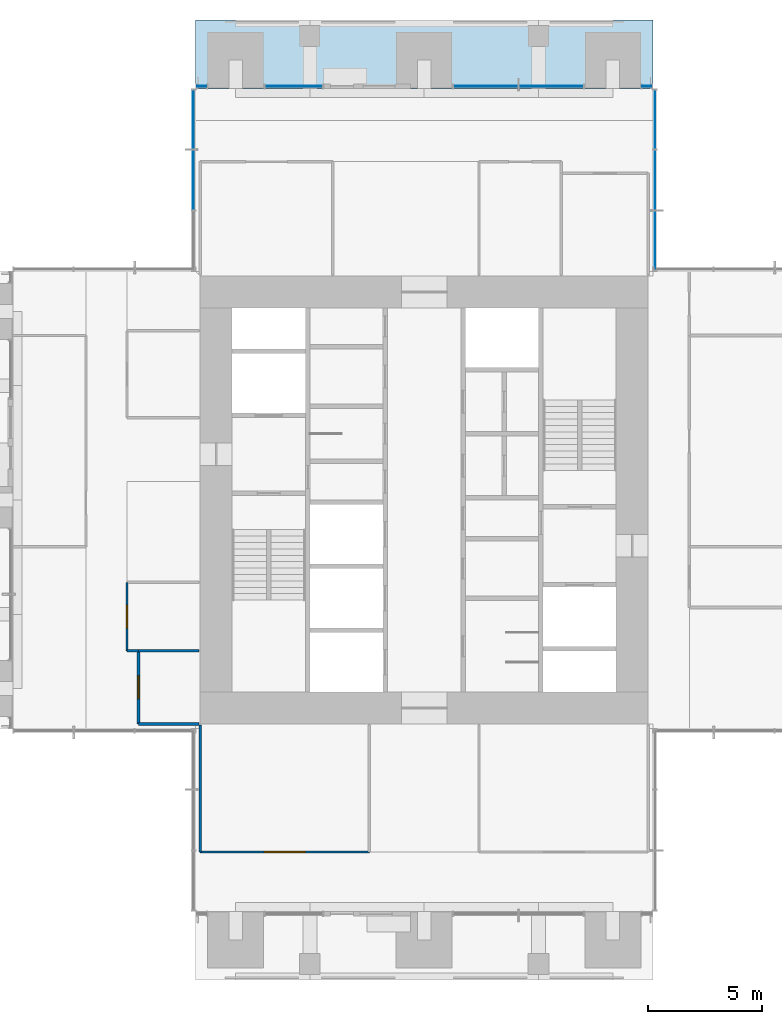
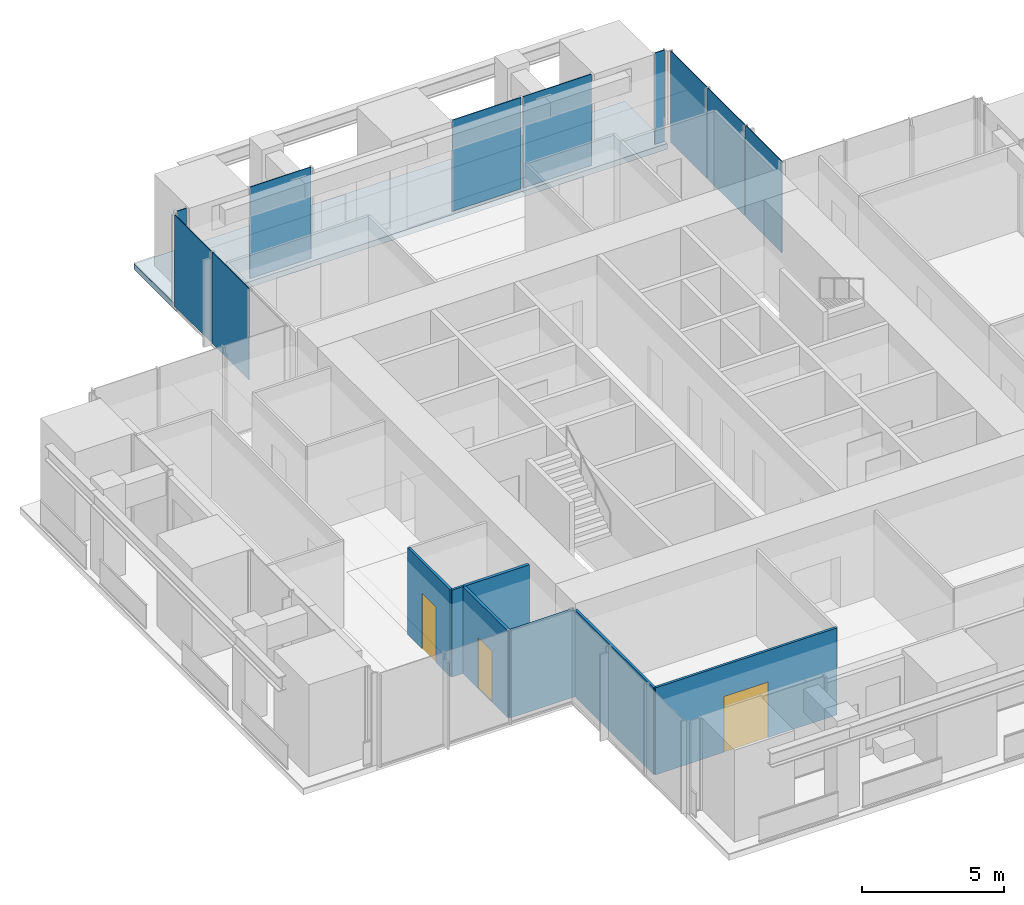
# One storey, part 11 of 17: 10 plates, 7 walls, 3 doors, 1 slab, 3 openings, 6 elements without a shape of their own.
"""IFC4 building model written with IfcOpenShell, lengths in metres."""

from ifc_helpers import new_model, si_unit, direction, frame, frame_2d, origin, origin_2d, place, context, subcontext, project, spatial, polyline, rectangle, outline, extrude, material, layer, layer_set, type_object, element, fill, aggregate, save


model = new_model("IFC4")

# Units and contexts
model_context = context("Model", 3, precision=1e-05, world=origin(), true_north=direction((0.0, 1.0)))
body_context = subcontext(model_context, "Body", "Model", "MODEL_VIEW")
ifc_project = project(units=[si_unit("LENGTHUNIT", "METRE"), si_unit("AREAUNIT", "SQUARE_METRE"), si_unit("VOLUMEUNIT", "CUBIC_METRE"), si_unit("PLANEANGLEUNIT", "RADIAN"), si_unit("MASSUNIT", "GRAM", prefix="KILO")], contexts=[model_context])

# Site, building, storey
site_placement = place(None, origin())
site = spatial("IfcSite", under=ifc_project, at=site_placement, CompositionType="ELEMENT")
building_placement = place(site_placement, origin())
building = spatial("IfcBuilding", under=site, at=building_placement, Name="Svetlomir Tower", CompositionType="ELEMENT")
storey_placement = place(building_placement, frame((0.0, 0.0, 214.5)))
storey = spatial("IfcBuildingStorey", under=building, at=storey_placement, Name="L51", CompositionType="ELEMENT", Elevation=214.5)

# Curtain wall, plates
ifc_material_1 = material(Name="Bronze anodised aluminium curtain wall", Category="aluminium")
curtain_wall_type = type_object("IfcCurtainWallType", Name="CURTAIN WALL CW1 TOWER OFFICE", PredefinedType="NOTDEFINED", material=ifc_material_1)
curtain_wall_1_placement = place(storey_placement, origin())
curtain_wall_1 = element("IfcCurtainWall", 1, at=curtain_wall_1_placement, inside=storey, type_object=curtain_wall_type, Name="Curtain wall CW1 L51", PredefinedType="NOTDEFINED")
ifc_material_2 = material(Name="Tinted double glazed unit", Category="glass")
ifc_layer_1 = layer(ifc_material_2, 0.031982421875)
ifc_layer_set_1 = layer_set([ifc_layer_1], Name="Tinted double glazed unit")
plate_type = type_object("IfcPlateType", Name="CW1 GLAZED PANEL 32", PredefinedType="CURTAIN_PANEL", material=ifc_layer_set_1)
plate_1_placement = place(storey_placement, frame((31.10009765625, 32.349609375, 0.06494140625), z_axis=(0.0, 0.0, 1.0), x_axis=(0.0, 1.0, 0.0)))
plate_1 = element("IfcPlate", 2, at=plate_1_placement, type_object=plate_type, Name="CW1 panel 1.1", PredefinedType="CURTAIN_PANEL", context=body_context, shape_type="SweptSolid", body=[
    extrude(rectangle(XDim=2.569091796875, YDim=0.031982421875, at=origin_2d()), origin(), (0.0, 0.0, 1.0), 3.93505859375),
])
plate_2_placement = place(storey_placement, frame((31.10009765625, 35.0, 0.06494140625), z_axis=(0.0, 0.0, 1.0), x_axis=(0.0, 1.0, 0.0)))
plate_2 = element("IfcPlate", 3, at=plate_2_placement, type_object=plate_type, Name="CW1 panel 2.1", PredefinedType="CURTAIN_PANEL", context=body_context, shape_type="SweptSolid", body=[
    extrude(rectangle(XDim=2.6015625, YDim=0.031982421875, at=origin_2d()), origin(), (0.0, 0.0, 1.0), 3.93505859375),
])
plate_3_placement = place(storey_placement, frame((31.10009765625, 37.650390625, 0.06494140625), z_axis=(0.0, 0.0, 1.0), x_axis=(0.0, 1.0, 0.0)))
plate_3 = element("IfcPlate", 4, at=plate_3_placement, type_object=plate_type, Name="CW1 panel 3.1", PredefinedType="CURTAIN_PANEL", context=body_context, shape_type="SweptSolid", body=[
    extrude(rectangle(XDim=2.569091796875, YDim=0.031982421875, at=origin_2d()), origin(), (0.0, 0.0, 1.0), 3.93505859375),
])
aggregate(curtain_wall_1, [plate_1, plate_2, plate_3])

# Curtain wall, plate
curtain_wall_2_placement = place(storey_placement, origin())
curtain_wall_2 = element("IfcCurtainWall", 5, at=curtain_wall_2_placement, inside=storey, type_object=curtain_wall_type, Name="Curtain wall CW1 L51", PredefinedType="NOTDEFINED")
plate_4_placement = place(storey_placement, frame((30.737548828125, 39.10009765625, 0.06494140625), z_axis=(0.0, 0.0, 1.0), x_axis=(-1.0, 0.0, 0.0)))
plate_4 = element("IfcPlate", 6, at=plate_4_placement, type_object=plate_type, Name="CW1 panel 1.1", PredefinedType="CURTAIN_PANEL", context=body_context, shape_type="SweptSolid", body=[
    extrude(rectangle(XDim=0.39501953125, YDim=0.031982421875, at=origin_2d()), origin(), (0.0, 0.0, 1.0), 3.93505859375),
])
aggregate(curtain_wall_2, [plate_4])

# Curtain wall, plates
curtain_wall_3_placement = place(storey_placement, origin())
curtain_wall_3 = element("IfcCurtainWall", 7, at=curtain_wall_3_placement, inside=storey, type_object=curtain_wall_type, Name="Curtain wall CW1 L51", PredefinedType="NOTDEFINED")
plate_5_placement = place(storey_placement, frame((26.558837890625, 39.10009765625, 0.06494140625), z_axis=(0.0, 0.0, 1.0), x_axis=(-1.0, 0.0, 0.0)))
plate_5 = element("IfcPlate", 8, at=plate_5_placement, type_object=plate_type, Name="CW1 panel 1.1", PredefinedType="CURTAIN_PANEL", context=body_context, shape_type="SweptSolid", body=[
    extrude(rectangle(XDim=2.802490234375, YDim=0.031982421875, at=origin_2d()), origin(), (0.0, 0.0, 1.0), 3.93505859375),
])
plate_6_placement = place(storey_placement, frame((23.691162109375, 39.10009765625, 0.06494140625), z_axis=(0.0, 0.0, 1.0), x_axis=(-1.0, 0.0, 0.0)))
plate_6 = element("IfcPlate", 9, at=plate_6_placement, type_object=plate_type, Name="CW1 panel 2.1", PredefinedType="CURTAIN_PANEL", context=body_context, shape_type="SweptSolid", body=[
    extrude(rectangle(XDim=2.802490234375, YDim=0.031982421875, at=origin_2d()), origin(), (0.0, 0.0, 1.0), 3.93505859375),
])
aggregate(curtain_wall_3, [plate_5, plate_6])

# Curtain wall, plate
curtain_wall_4_placement = place(storey_placement, origin())
curtain_wall_4 = element("IfcCurtainWall", 10, at=curtain_wall_4_placement, inside=storey, type_object=curtain_wall_type, Name="Curtain wall CW1 L51", PredefinedType="NOTDEFINED")
plate_7_placement = place(storey_placement, frame((15.28759765625, 39.10009765625, 0.06494140625), z_axis=(0.0, 0.0, 1.0), x_axis=(-1.0, 0.0, 0.0)))
plate_7 = element("IfcPlate", 11, at=plate_7_placement, type_object=plate_type, Name="CW1 panel 1.1", PredefinedType="CURTAIN_PANEL", context=body_context, shape_type="SweptSolid", body=[
    extrude(rectangle(XDim=2.4951171875, YDim=0.031982421875, at=origin_2d()), origin(), (0.0, 0.0, 1.0), 3.93505859375),
])
aggregate(curtain_wall_4, [plate_7])

curtain_wall_5_placement = place(storey_placement, origin())
curtain_wall_5 = element("IfcCurtainWall", 12, at=curtain_wall_5_placement, inside=storey, type_object=curtain_wall_type, Name="Curtain wall CW1 L51", PredefinedType="NOTDEFINED")
plate_8_placement = place(storey_placement, frame((11.262451171875, 39.10009765625, 0.06494140625), z_axis=(0.0, 0.0, 1.0), x_axis=(-1.0, 0.0, 0.0)))
plate_8 = element("IfcPlate", 13, at=plate_8_placement, type_object=plate_type, Name="CW1 panel 1.1", PredefinedType="CURTAIN_PANEL", context=body_context, shape_type="SweptSolid", body=[
    extrude(rectangle(XDim=0.39501953125, YDim=0.031982421875, at=origin_2d()), origin(), (0.0, 0.0, 1.0), 3.93505859375),
])
aggregate(curtain_wall_5, [plate_8])

# Curtain wall, plates
curtain_wall_6_placement = place(storey_placement, origin())
curtain_wall_6 = element("IfcCurtainWall", 14, at=curtain_wall_6_placement, inside=storey, type_object=curtain_wall_type, Name="Curtain wall CW1 L51", PredefinedType="NOTDEFINED")
plate_9_placement = place(storey_placement, frame((10.89990234375, 37.650390625, 0.06494140625), z_axis=(0.0, 0.0, 1.0), x_axis=(0.0, -1.0, 0.0)))
plate_9 = element("IfcPlate", 15, at=plate_9_placement, type_object=plate_type, Name="CW1 panel 1.1", PredefinedType="CURTAIN_PANEL", context=body_context, shape_type="SweptSolid", body=[
    extrude(rectangle(XDim=2.569091796875, YDim=0.031982421875, at=origin_2d()), origin(), (0.0, 0.0, 1.0), 3.93505859375),
])
plate_10_placement = place(storey_placement, frame((10.89990234375, 35.0, 0.06494140625), z_axis=(0.0, 0.0, 1.0), x_axis=(0.0, -1.0, 0.0)))
plate_10 = element("IfcPlate", 16, at=plate_10_placement, type_object=plate_type, Name="CW1 panel 2.1", PredefinedType="CURTAIN_PANEL", context=body_context, shape_type="SweptSolid", body=[
    extrude(rectangle(XDim=2.6015625, YDim=0.031982421875, at=origin_2d()), origin(), (0.0, 0.0, 1.0), 3.93505859375),
])
aggregate(curtain_wall_6, [plate_9, plate_10])

# Slab
ifc_material_3 = material(Name="Concrete C60/75", Category="concrete")
ifc_layer_2 = layer(ifc_material_3, 0.25)
ifc_layer_set_2 = layer_set([ifc_layer_2], Name="Concrete C60/75")
slab_type = type_object("IfcSlabType", Name="PLANTED LOGGIA SLAB 250", PredefinedType="FLOOR", material=ifc_layer_set_2)
slab_placement = place(storey_placement, frame((0.0, 0.0, -0.25)))
element("IfcSlab", 17, at=slab_placement, inside=storey, type_object=slab_type, Name="L51 N planted loggia", PredefinedType="FLOOR", context=body_context, shape_type="SweptSolid", body=[
    extrude(outline(polyline([(11.0, 39.0), (31.0, 39.0), (31.0, 42.0), (11.0, 42.0), (11.0, 39.0)])), origin(), (0.0, 0.0, 1.0), 0.25),
])

# Wall, opening, door
ifc_material_4 = material(Name="Framed laminated glass partition", Category="glass")
ifc_layer_3 = layer(ifc_material_4, 0.10009765625)
ifc_layer_set_3 = layer_set([ifc_layer_3], Name="Framed laminated glass partition")
wall_type_1 = type_object("IfcWallType", Name="GLAZED PARTITION 100", PredefinedType="PARTITIONING", material=ifc_layer_set_3)
wall_1_placement = place(storey_placement, frame((8.0, 14.39990234375, 0.0), z_axis=(0.0, 0.0, 1.0), x_axis=(0.0, 1.0, 0.0)))
wall_1 = element("IfcWall", 18, at=wall_1_placement, inside=storey, type_object=wall_type_1, Name="Glazed partition L51", PredefinedType="PARTITIONING", context=body_context, shape_type="SweptSolid", body=[
    extrude(rectangle(XDim=3.0, YDim=0.10009765625, at=frame_2d((1.5, 0.0))), origin(), (0.0, 0.0, 1.0), 3.75),
])
opening_1_placement = place(wall_1_placement, frame((1.0, 0.0, 0.0)))
opening_1 = element("IfcOpeningElement", 19, at=opening_1_placement, cuts=wall_1, Name="Opening DG", PredefinedType="OPENING", context=body_context, shape_type="SweptSolid", body=[
    extrude(rectangle(XDim=1.0, YDim=2.39990234375, at=frame_2d((0.5, 1.199951171875))), frame((0.0, 0.06005859375, 0.0), z_axis=(0.0, -1.0, 0.0), x_axis=(1.0, 0.0, 0.0)), (0.0, 0.0, 1.0), 0.1201171875),
])
ifc_material_5 = material(Name="Framed laminated glass door", Category="glass")
door_type_1 = type_object("IfcDoorType", Name="GLAZED DOOR DG 1000x2400", OperationType="SINGLE_SWING_LEFT", PredefinedType="DOOR", material=ifc_material_5)
door_1_placement = place(opening_1_placement, origin())
door_1 = element("IfcDoor", 20, at=door_1_placement, inside=storey, type_object=door_type_1, Name="Phone room door L51", OperationType="SINGLE_SWING_LEFT", OverallHeight=2.39990234375, OverallWidth=1.0, PredefinedType="DOOR", context=body_context, shape_type="SweptSolid", body=[
    extrude(rectangle(XDim=1.0, YDim=2.39990234375, at=frame_2d((0.5, 1.199951171875))), frame((0.0, 0.02490234375, 0.0), z_axis=(0.0, -1.0, 0.0), x_axis=(1.0, 0.0, 0.0)), (0.0, 0.0, 1.0), 0.050048828125),
])
fill(opening_1, door_1)

# Walls
wall_2_placement = place(storey_placement, frame((8.0, 14.39990234375, 0.0), z_axis=(0.0, 0.0, 1.0), x_axis=(1.0, 0.0, 0.0)))
element("IfcWall", 21, at=wall_2_placement, inside=storey, type_object=wall_type_1, Name="Glazed partition L51", PredefinedType="PARTITIONING", context=body_context, shape_type="SweptSolid", body=[
    extrude(rectangle(XDim=0.5, YDim=0.10009765625, at=frame_2d((0.25, 0.0))), origin(), (0.0, 0.0, 1.0), 3.75),
])
wall_3_placement = place(storey_placement, frame((11.199951171875, 5.60009765625, 0.0), z_axis=(0.0, 0.0, 1.0), x_axis=(0.0, 1.0, 0.0)))
element("IfcWall", 22, at=wall_3_placement, inside=storey, type_object=wall_type_1, Name="Glazed partition L51", PredefinedType="PARTITIONING", context=body_context, shape_type="SweptSolid", body=[
    extrude(rectangle(XDim=5.5498046875, YDim=0.10009765625, at=frame_2d((2.77490234375, 0.0))), origin(), (0.0, 0.0, 1.0), 3.75),
])

# Wall, opening, door
wall_4_placement = place(storey_placement, frame((11.199951171875, 5.60009765625, 0.0), z_axis=(0.0, 0.0, 1.0), x_axis=(1.0, 0.0, 0.0)))
wall_4 = element("IfcWall", 23, at=wall_4_placement, inside=storey, type_object=wall_type_1, Name="Glazed partition L51", PredefinedType="PARTITIONING", context=body_context, shape_type="SweptSolid", body=[
    extrude(rectangle(XDim=7.400146484375, YDim=0.10009765625, at=frame_2d((3.7001953125, 0.0))), origin(), (0.0, 0.0, 1.0), 3.75),
])
opening_2_placement = place(wall_4_placement, frame((2.800048828125, 0.0, 0.0)))
opening_2 = element("IfcOpeningElement", 24, at=opening_2_placement, cuts=wall_4, Name="Opening DD", PredefinedType="OPENING", context=body_context, shape_type="SweptSolid", body=[
    extrude(rectangle(XDim=1.800048828125, YDim=2.39990234375, at=frame_2d((0.89990234375, 1.199951171875))), frame((0.0, 0.06005859375, 0.0), z_axis=(0.0, -1.0, 0.0), x_axis=(1.0, 0.0, 0.0)), (0.0, 0.0, 1.0), 0.1201171875),
])
ifc_material_6 = material(Name="Timber door", Category="wood")
door_type_2 = type_object("IfcDoorType", Name="DOOR DD 1800x2400", OperationType="DOUBLE_DOOR_SINGLE_SWING", PredefinedType="DOOR", material=ifc_material_6)
door_2_placement = place(opening_2_placement, origin())
door_2 = element("IfcDoor", 25, at=door_2_placement, inside=storey, type_object=door_type_2, Name="Lecture room, 30 seats door L51", OperationType="DOUBLE_DOOR_SINGLE_SWING", OverallHeight=2.39990234375, OverallWidth=1.800048828125, PredefinedType="DOOR", context=body_context, shape_type="SweptSolid", body=[
    extrude(rectangle(XDim=1.800048828125, YDim=2.39990234375, at=frame_2d((0.89990234375, 1.199951171875))), frame((0.0, 0.02490234375, 0.0), z_axis=(0.0, -1.0, 0.0), x_axis=(1.0, 0.0, 0.0)), (0.0, 0.0, 1.0), 0.050048828125),
])
fill(opening_2, door_2)

ifc_material_7 = material(Name="Gypsum board on steel studs", Category="steel")
ifc_layer_4 = layer(ifc_material_7, 0.1201171875)
ifc_layer_set_4 = layer_set([ifc_layer_4], Name="Gypsum board on steel studs")
wall_type_2 = type_object("IfcWallType", Name="PARTITION 120", PredefinedType="PARTITIONING", material=ifc_layer_set_4)
wall_5_placement = place(storey_placement, frame((8.5, 11.199951171875, 0.0), z_axis=(0.0, 0.0, 1.0), x_axis=(0.0, 1.0, 0.0)))
wall_5 = element("IfcWall", 26, at=wall_5_placement, inside=storey, type_object=wall_type_2, Name="Partition L51", PredefinedType="PARTITIONING", context=body_context, shape_type="SweptSolid", body=[
    extrude(rectangle(XDim=3.199951171875, YDim=0.1201171875, at=frame_2d((1.60009765625, 0.0))), origin(), (0.0, 0.0, 1.0), 3.75),
])
opening_3_placement = place(wall_5_placement, frame((1.10009765625, 0.0, 0.0)))
opening_3 = element("IfcOpeningElement", 27, at=opening_3_placement, cuts=wall_5, Name="Opening DR", PredefinedType="OPENING", context=body_context, shape_type="SweptSolid", body=[
    extrude(rectangle(XDim=1.0, YDim=2.199951171875, at=frame_2d((0.5, 1.10009765625))), frame((0.0, 0.070068359375, 0.0), z_axis=(0.0, -1.0, 0.0), x_axis=(1.0, 0.0, 0.0)), (0.0, 0.0, 1.0), 0.14013671875),
])
ifc_material_8 = material(Name="Timber door, glazed side light", Category="wood")
door_type_3 = type_object("IfcDoorType", Name="DOOR DR 1000x2200", OperationType="SINGLE_SWING_LEFT", PredefinedType="DOOR", material=ifc_material_8)
door_3_placement = place(opening_3_placement, origin())
door_3 = element("IfcDoor", 28, at=door_3_placement, inside=storey, type_object=door_type_3, Name="Print and copy room door L51", OperationType="SINGLE_SWING_RIGHT", OverallHeight=2.199951171875, OverallWidth=1.0, PredefinedType="DOOR", context=body_context, shape_type="SweptSolid", body=[
    extrude(rectangle(XDim=1.0, YDim=2.199951171875, at=frame_2d((0.5, 1.10009765625))), frame((0.0, 0.02490234375, 0.0), z_axis=(0.0, -1.0, 0.0), x_axis=(1.0, 0.0, 0.0)), (0.0, 0.0, 1.0), 0.050048828125),
])
fill(opening_3, door_3)

# Walls
for number, where, z_axis, x_axis, name in (
    (29, (8.5, 11.199951171875, 0.0), (0.0, 0.0, 1.0), (1.0, 0.0, 0.0), "Partition L51"),
    (30, (8.5, 14.39990234375, 0.0), (0.0, 0.0, 1.0), (1.0, 0.0, 0.0), "Partition L51"),
):
    element("IfcWall", number, at=place(storey_placement, frame(where, z_axis=z_axis, x_axis=x_axis)), inside=storey, type_object=wall_type_2, Name=name, PredefinedType="PARTITIONING", context=body_context, shape_type="SweptSolid", body=[
        extrude(rectangle(XDim=2.64990234375, YDim=0.1201171875, at=frame_2d((1.324951171875, 0.0))), origin(), (0.0, 0.0, 1.0), 3.75),
    ])

save(model, "model.ifc")
